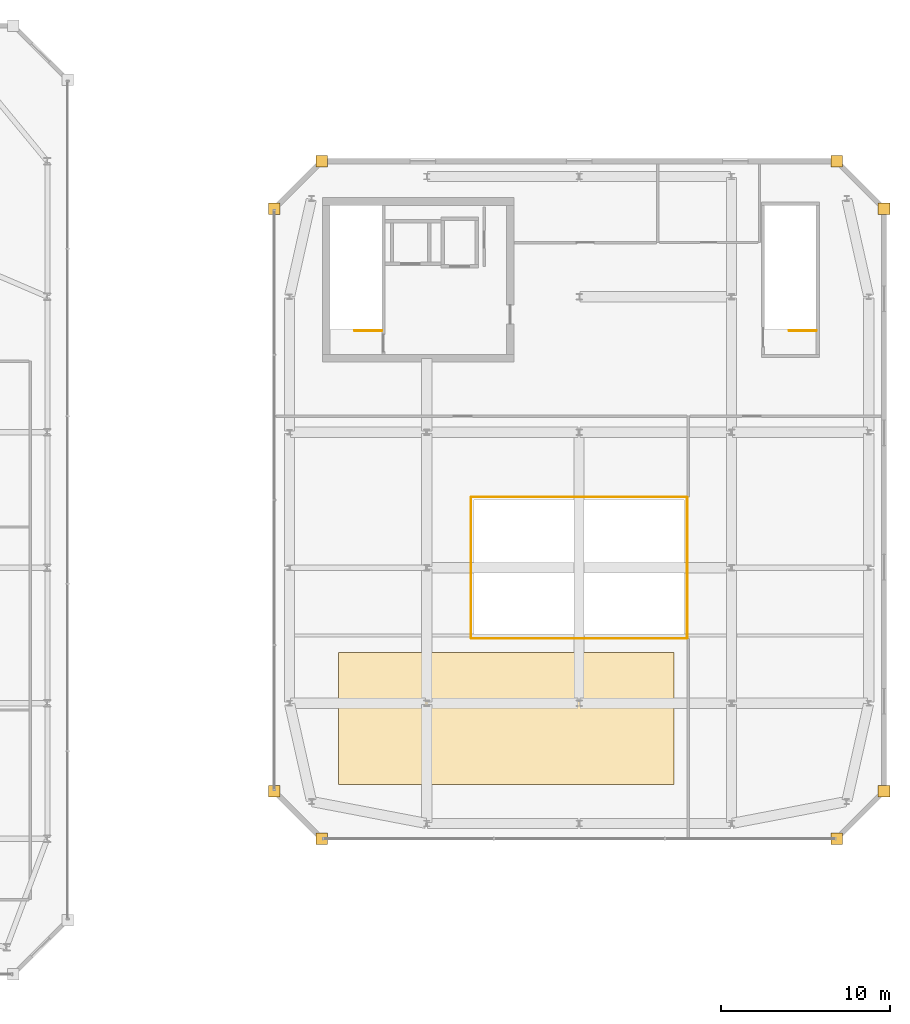
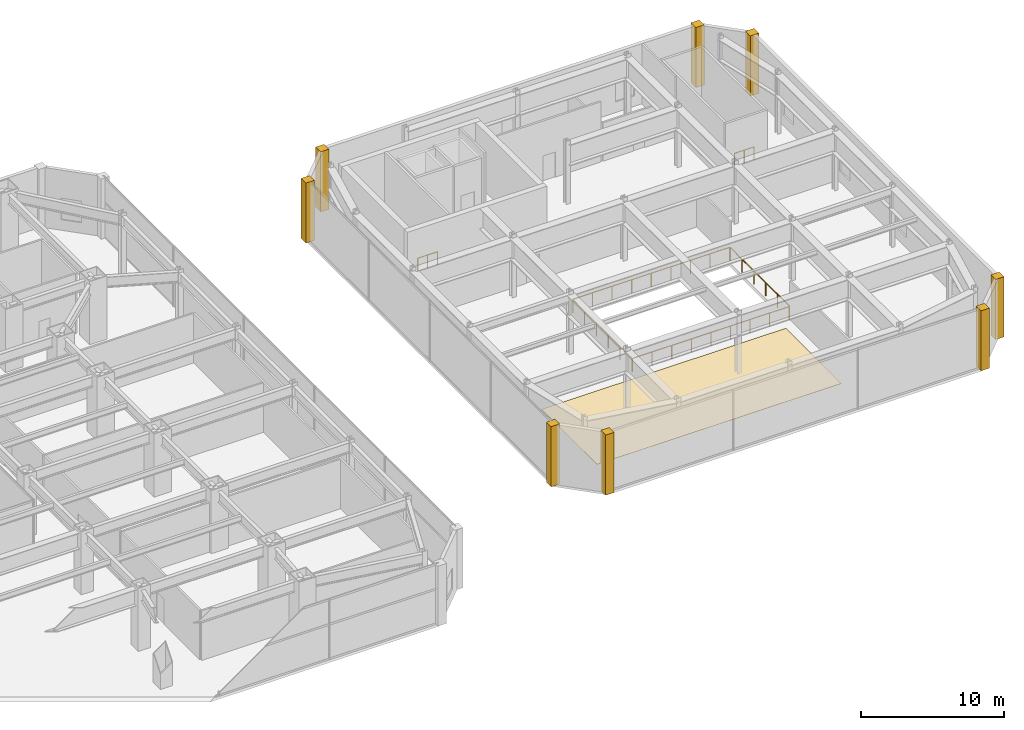
# One storey, part 53 of 53: 9 coverings, 6 railings.
"""IFC4 building model written with IfcOpenShell, lengths in metres."""

from ifc_helpers import new_model, si_unit, direction, frame, origin, origin_2d, place, context, subcontext, project, spatial, polyline, circle, outline, extrude, material, layer, layer_set, type_object, element, save


model = new_model("IFC4")

# Units and contexts
model_context = context("Model", 3, precision=1e-05, world=origin(), true_north=direction((0.0, 1.0)))
body_context = subcontext(model_context, "Body", "Model", "MODEL_VIEW")
ifc_project = project(units=[si_unit("LENGTHUNIT", "METRE"), si_unit("AREAUNIT", "SQUARE_METRE"), si_unit("VOLUMEUNIT", "CUBIC_METRE"), si_unit("PLANEANGLEUNIT", "RADIAN"), si_unit("MASSUNIT", "GRAM", prefix="KILO")], contexts=[model_context])

# Site, building, storey
site_placement = place(None, origin())
site = spatial("IfcSite", under=ifc_project, at=site_placement, CompositionType="ELEMENT")
building_placement = place(site_placement, origin())
building = spatial("IfcBuilding", under=site, at=building_placement, Name="Saevonmaru Cultural Tower", CompositionType="ELEMENT")
storey_placement = place(building_placement, frame((0.0, 0.0, 22.199951171875)))
storey = spatial("IfcBuildingStorey", under=building, at=storey_placement, Name="L04", CompositionType="ELEMENT", Elevation=22.199951171875)

# Coverings
ifc_material_1 = material(Name="Satin Bronze Anodised Aluminium", Category="aluminium")
ifc_layer_1 = layer(ifc_material_1, 0.679931640625, Name="Satin Bronze Anodised Aluminium")
ifc_layer_set_1 = layer_set([ifc_layer_1], Name="Satin Bronze Anodised Aluminium")
covering_type_1 = type_object("IfcCoveringType", Name="CV-CORNER-CLAD", PredefinedType="CLADDING", material=ifc_layer_set_1)
covering_1_placement = place(storey_placement, origin())
element("IfcCovering", 1, at=covering_1_placement, inside=storey, type_object=covering_type_1, Name="L04 Library Bronze Corner Cladding Pier 1", PredefinedType="CLADDING", context=body_context, shape_type="SweptSolid", body=[
    extrude(outline(polyline([(71.860107421875, 10.4599609375), (72.5400390625, 10.4599609375), (72.5400390625, 11.139892578125), (71.860107421875, 11.139892578125), (71.860107421875, 10.4599609375)])), origin(), (0.0, 0.0, 1.0), 5.150146484375),
])
covering_2_placement = place(storey_placement, origin())
element("IfcCovering", 2, at=covering_2_placement, inside=storey, type_object=covering_type_1, Name="L04 Library Bronze Corner Cladding Pier 2", PredefinedType="CLADDING", context=body_context, shape_type="SweptSolid", body=[
    extrude(outline(polyline([(74.659912109375, 7.659912109375), (75.340087890625, 7.659912109375), (75.340087890625, 8.340087890625), (74.659912109375, 8.340087890625), (74.659912109375, 7.659912109375)])), origin(), (0.0, 0.0, 1.0), 5.150146484375),
])
covering_3_placement = place(storey_placement, origin())
element("IfcCovering", 3, at=covering_3_placement, inside=storey, type_object=covering_type_1, Name="L04 Library Bronze Corner Cladding Pier 3", PredefinedType="CLADDING", context=body_context, shape_type="SweptSolid", body=[
    extrude(outline(polyline([(105.06005859375, 7.659912109375), (105.739990234375, 7.659912109375), (105.739990234375, 8.340087890625), (105.06005859375, 8.340087890625), (105.06005859375, 7.659912109375)])), origin(), (0.0, 0.0, 1.0), 5.150146484375),
])
covering_4_placement = place(storey_placement, origin())
element("IfcCovering", 4, at=covering_4_placement, inside=storey, type_object=covering_type_1, Name="L04 Library Bronze Corner Cladding Pier 4", PredefinedType="CLADDING", context=body_context, shape_type="SweptSolid", body=[
    extrude(outline(polyline([(107.860107421875, 10.4599609375), (108.5400390625, 10.4599609375), (108.5400390625, 11.139892578125), (107.860107421875, 11.139892578125), (107.860107421875, 10.4599609375)])), origin(), (0.0, 0.0, 1.0), 5.150146484375),
])
covering_5_placement = place(storey_placement, origin())
element("IfcCovering", 5, at=covering_5_placement, inside=storey, type_object=covering_type_1, Name="L04 Library Bronze Corner Cladding Pier 5", PredefinedType="CLADDING", context=body_context, shape_type="SweptSolid", body=[
    extrude(outline(polyline([(107.860107421875, 44.860107421875), (108.5400390625, 44.860107421875), (108.5400390625, 45.5400390625), (107.860107421875, 45.5400390625), (107.860107421875, 44.860107421875)])), origin(), (0.0, 0.0, 1.0), 5.150146484375),
])
covering_6_placement = place(storey_placement, origin())
element("IfcCovering", 6, at=covering_6_placement, inside=storey, type_object=covering_type_1, Name="L04 Library Bronze Corner Cladding Pier 6", PredefinedType="CLADDING", context=body_context, shape_type="SweptSolid", body=[
    extrude(outline(polyline([(105.06005859375, 47.659912109375), (105.739990234375, 47.659912109375), (105.739990234375, 48.340087890625), (105.06005859375, 48.340087890625), (105.06005859375, 47.659912109375)])), origin(), (0.0, 0.0, 1.0), 5.150146484375),
])
covering_7_placement = place(storey_placement, origin())
element("IfcCovering", 7, at=covering_7_placement, inside=storey, type_object=covering_type_1, Name="L04 Library Bronze Corner Cladding Pier 7", PredefinedType="CLADDING", context=body_context, shape_type="SweptSolid", body=[
    extrude(outline(polyline([(74.659912109375, 47.659912109375), (75.340087890625, 47.659912109375), (75.340087890625, 48.340087890625), (74.659912109375, 48.340087890625), (74.659912109375, 47.659912109375)])), origin(), (0.0, 0.0, 1.0), 5.150146484375),
])
covering_8_placement = place(storey_placement, origin())
element("IfcCovering", 8, at=covering_8_placement, inside=storey, type_object=covering_type_1, Name="L04 Library Bronze Corner Cladding Pier 8", PredefinedType="CLADDING", context=body_context, shape_type="SweptSolid", body=[
    extrude(outline(polyline([(71.860107421875, 44.860107421875), (72.5400390625, 44.860107421875), (72.5400390625, 45.5400390625), (71.860107421875, 45.5400390625), (71.860107421875, 44.860107421875)])), origin(), (0.0, 0.0, 1.0), 5.150146484375),
])
ifc_material_2 = material(Name="Engineered Acoustic Oak Flooring", Category="wood")
ifc_layer_2 = layer(ifc_material_2, 0.02392578125, Name="Engineered Acoustic Oak Flooring")
ifc_layer_set_2 = layer_set([ifc_layer_2], Name="Engineered Acoustic Oak Flooring")
covering_type_2 = type_object("IfcCoveringType", Name="CV-FLR-OAK", PredefinedType="FLOORING", material=ifc_layer_set_2)
covering_9_placement = place(storey_placement, origin())
element("IfcCovering", 9, at=covering_9_placement, inside=storey, type_object=covering_type_2, Name="L04 Library Reading Hall Acoustic Oak Flooring", PredefinedType="FLOORING", context=body_context, shape_type="SweptSolid", body=[
    extrude(outline(polyline([(76.0, 11.199951171875), (95.800048828125, 11.199951171875), (95.800048828125, 19.0), (76.0, 19.0), (76.0, 11.199951171875)])), origin(), (0.0, 0.0, 1.0), 0.024169921875),
])

# Railings
railing_type_1 = type_object("IfcRailingType", Name="RL-ATRIUM-1150", PredefinedType="GUARDRAIL", material=ifc_material_1)
railing_1_placement = place(storey_placement, frame((83.860107421875, 19.820068359375, 0.0)))
element("IfcRailing", 10, at=railing_1_placement, inside=storey, type_object=railing_type_1, Name="L04 Library Reading Atrium Guardrail Seg 1", PredefinedType="GUARDRAIL", context=body_context, shape_type="SweptSolid", body=[
    extrude(circle(Radius=0.02392578125, at=origin_2d()), frame((0.0, 0.0, 1.1259765625), z_axis=(1.0, 0.0, 0.0), x_axis=(0.0, 1.0, 0.0)), (0.0, 0.0, 1.0), 12.679931640625),
    extrude(circle(Radius=0.02099609375, at=origin_2d()), origin(), (0.0, 0.0, 1.0), 1.101806640625),
    extrude(circle(Radius=0.02099609375, at=origin_2d()), frame((1.5849609375, 0.0, 0.0)), (0.0, 0.0, 1.0), 1.101806640625),
    extrude(circle(Radius=0.02099609375, at=origin_2d()), frame((3.169921875, 0.0, 0.0)), (0.0, 0.0, 1.0), 1.101806640625),
    extrude(circle(Radius=0.02099609375, at=origin_2d()), frame((4.7548828125, 0.0, 0.0)), (0.0, 0.0, 1.0), 1.101806640625),
    extrude(circle(Radius=0.02099609375, at=origin_2d()), frame((6.33984375, 0.0, 0.0)), (0.0, 0.0, 1.0), 1.101806640625),
    extrude(circle(Radius=0.02099609375, at=origin_2d()), frame((7.925048828125, 0.0, 0.0)), (0.0, 0.0, 1.0), 1.101806640625),
    extrude(circle(Radius=0.02099609375, at=origin_2d()), frame((9.510009765625, 0.0, 0.0)), (0.0, 0.0, 1.0), 1.101806640625),
    extrude(circle(Radius=0.02099609375, at=origin_2d()), frame((11.094970703125, 0.0, 0.0)), (0.0, 0.0, 1.0), 1.101806640625),
    extrude(circle(Radius=0.02099609375, at=origin_2d()), frame((12.679931640625, 0.0, 0.0)), (0.0, 0.0, 1.0), 1.101806640625),
])
railing_2_placement = place(storey_placement, frame((96.580078125, 19.860107421875, 0.0)))
element("IfcRailing", 11, at=railing_2_placement, inside=storey, type_object=railing_type_1, Name="L04 Library Reading Atrium Guardrail Seg 2", PredefinedType="GUARDRAIL", context=body_context, shape_type="SweptSolid", body=[
    extrude(circle(Radius=0.02392578125, at=origin_2d()), frame((0.0, 0.0, 1.1259765625), z_axis=(0.0, 1.0, 0.0), x_axis=(-1.0, 0.0, 0.0)), (0.0, 0.0, 1.0), 8.27978515625),
    extrude(circle(Radius=0.02099609375, at=origin_2d()), origin(), (0.0, 0.0, 1.0), 1.101806640625),
    extrude(circle(Radius=0.02099609375, at=origin_2d()), frame((0.0, 1.656005859375, 0.0)), (0.0, 0.0, 1.0), 1.101806640625),
    extrude(circle(Radius=0.02099609375, at=origin_2d()), frame((0.0, 3.31201171875, 0.0)), (0.0, 0.0, 1.0), 1.101806640625),
    extrude(circle(Radius=0.02099609375, at=origin_2d()), frame((0.0, 4.9677734375, 0.0)), (0.0, 0.0, 1.0), 1.101806640625),
    extrude(circle(Radius=0.02099609375, at=origin_2d()), frame((0.0, 6.623779296875, 0.0)), (0.0, 0.0, 1.0), 1.101806640625),
    extrude(circle(Radius=0.02099609375, at=origin_2d()), frame((0.0, 8.27978515625, 0.0)), (0.0, 0.0, 1.0), 1.101806640625),
])
railing_3_placement = place(storey_placement, frame((96.5400390625, 28.179931640625, 0.0)))
element("IfcRailing", 12, at=railing_3_placement, inside=storey, type_object=railing_type_1, Name="L04 Library Reading Atrium Guardrail Seg 3", PredefinedType="GUARDRAIL", context=body_context, shape_type="SweptSolid", body=[
    extrude(circle(Radius=0.02392578125, at=origin_2d()), frame((0.0, 0.0, 1.1259765625), z_axis=(-1.0, 0.0, 0.0), x_axis=(0.0, -1.0, 0.0)), (0.0, 0.0, 1.0), 12.679931640625),
    extrude(circle(Radius=0.02099609375, at=origin_2d()), origin(), (0.0, 0.0, 1.0), 1.101806640625),
    extrude(circle(Radius=0.02099609375, at=origin_2d()), frame((-1.5849609375, 0.0, 0.0)), (0.0, 0.0, 1.0), 1.101806640625),
    extrude(circle(Radius=0.02099609375, at=origin_2d()), frame((-3.169921875, 0.0, 0.0)), (0.0, 0.0, 1.0), 1.101806640625),
    extrude(circle(Radius=0.02099609375, at=origin_2d()), frame((-4.7548828125, 0.0, 0.0)), (0.0, 0.0, 1.0), 1.101806640625),
    extrude(circle(Radius=0.02099609375, at=origin_2d()), frame((-6.33984375, 0.0, 0.0)), (0.0, 0.0, 1.0), 1.101806640625),
    extrude(circle(Radius=0.02099609375, at=origin_2d()), frame((-7.925048828125, 0.0, 0.0)), (0.0, 0.0, 1.0), 1.101806640625),
    extrude(circle(Radius=0.02099609375, at=origin_2d()), frame((-9.510009765625, 0.0, 0.0)), (0.0, 0.0, 1.0), 1.101806640625),
    extrude(circle(Radius=0.02099609375, at=origin_2d()), frame((-11.094970703125, 0.0, 0.0)), (0.0, 0.0, 1.0), 1.101806640625),
    extrude(circle(Radius=0.02099609375, at=origin_2d()), frame((-12.679931640625, 0.0, 0.0)), (0.0, 0.0, 1.0), 1.101806640625),
])
railing_4_placement = place(storey_placement, frame((83.820068359375, 28.139892578125, 0.0)))
element("IfcRailing", 13, at=railing_4_placement, inside=storey, type_object=railing_type_1, Name="L04 Library Reading Atrium Guardrail Seg 4", PredefinedType="GUARDRAIL", context=body_context, shape_type="SweptSolid", body=[
    extrude(circle(Radius=0.02392578125, at=origin_2d()), frame((0.0, 0.0, 1.1259765625), z_axis=(0.0, -1.0, 0.0), x_axis=(1.0, 0.0, 0.0)), (0.0, 0.0, 1.0), 8.27978515625),
    extrude(circle(Radius=0.02099609375, at=origin_2d()), origin(), (0.0, 0.0, 1.0), 1.101806640625),
    extrude(circle(Radius=0.02099609375, at=origin_2d()), frame((0.0, -1.656005859375, 0.0)), (0.0, 0.0, 1.0), 1.101806640625),
    extrude(circle(Radius=0.02099609375, at=origin_2d()), frame((0.0, -3.31201171875, 0.0)), (0.0, 0.0, 1.0), 1.101806640625),
    extrude(circle(Radius=0.02099609375, at=origin_2d()), frame((0.0, -4.9677734375, 0.0)), (0.0, 0.0, 1.0), 1.101806640625),
    extrude(circle(Radius=0.02099609375, at=origin_2d()), frame((0.0, -6.623779296875, 0.0)), (0.0, 0.0, 1.0), 1.101806640625),
    extrude(circle(Radius=0.02099609375, at=origin_2d()), frame((0.0, -8.27978515625, 0.0)), (0.0, 0.0, 1.0), 1.101806640625),
])
ifc_material_3 = material(Name="Architectural Painted Steel", Category="steel")
railing_type_2 = type_object("IfcRailingType", Name="RL-STAIR-GUARD", PredefinedType="GUARDRAIL", material=ifc_material_3)
railing_5_placement = place(storey_placement, frame((78.550048828125, 38.0, 0.0)))
element("IfcRailing", 14, at=railing_5_placement, inside=storey, type_object=railing_type_2, Name="L04 LST-1 top well guard 1", PredefinedType="GUARDRAIL", context=body_context, shape_type="SweptSolid", body=[
    extrude(circle(Radius=0.02392578125, at=origin_2d()), frame((0.0, 0.0, 1.09619140625), z_axis=(-1.0, 0.0, 0.0), x_axis=(0.0, -1.0, 0.0)), (0.0, 0.0, 1.0), 1.60009765625),
    extrude(circle(Radius=0.02099609375, at=origin_2d()), origin(), (0.0, 0.0, 1.0), 1.072021484375),
    extrude(circle(Radius=0.02099609375, at=origin_2d()), frame((-0.800048828125, 0.0, 0.0)), (0.0, 0.0, 1.0), 1.072021484375),
    extrude(circle(Radius=0.02099609375, at=origin_2d()), frame((-1.60009765625, 0.0, 0.0)), (0.0, 0.0, 1.0), 1.072021484375),
])
railing_6_placement = place(storey_placement, frame((104.199951171875, 38.0, 0.0)))
element("IfcRailing", 15, at=railing_6_placement, inside=storey, type_object=railing_type_2, Name="L04 LST-2 top well guard 1", PredefinedType="GUARDRAIL", context=body_context, shape_type="SweptSolid", body=[
    extrude(circle(Radius=0.02392578125, at=origin_2d()), frame((0.0, 0.0, 1.09619140625), z_axis=(-1.0, 0.0, 0.0), x_axis=(0.0, -1.0, 0.0)), (0.0, 0.0, 1.0), 1.599853515625),
    extrude(circle(Radius=0.02099609375, at=origin_2d()), origin(), (0.0, 0.0, 1.0), 1.072021484375),
    extrude(circle(Radius=0.02099609375, at=origin_2d()), frame((-0.7998046875, 0.0, 0.0)), (0.0, 0.0, 1.0), 1.072021484375),
    extrude(circle(Radius=0.02099609375, at=origin_2d()), frame((-1.599853515625, 0.0, 0.0)), (0.0, 0.0, 1.0), 1.072021484375),
])

save(model, "model.ifc")
